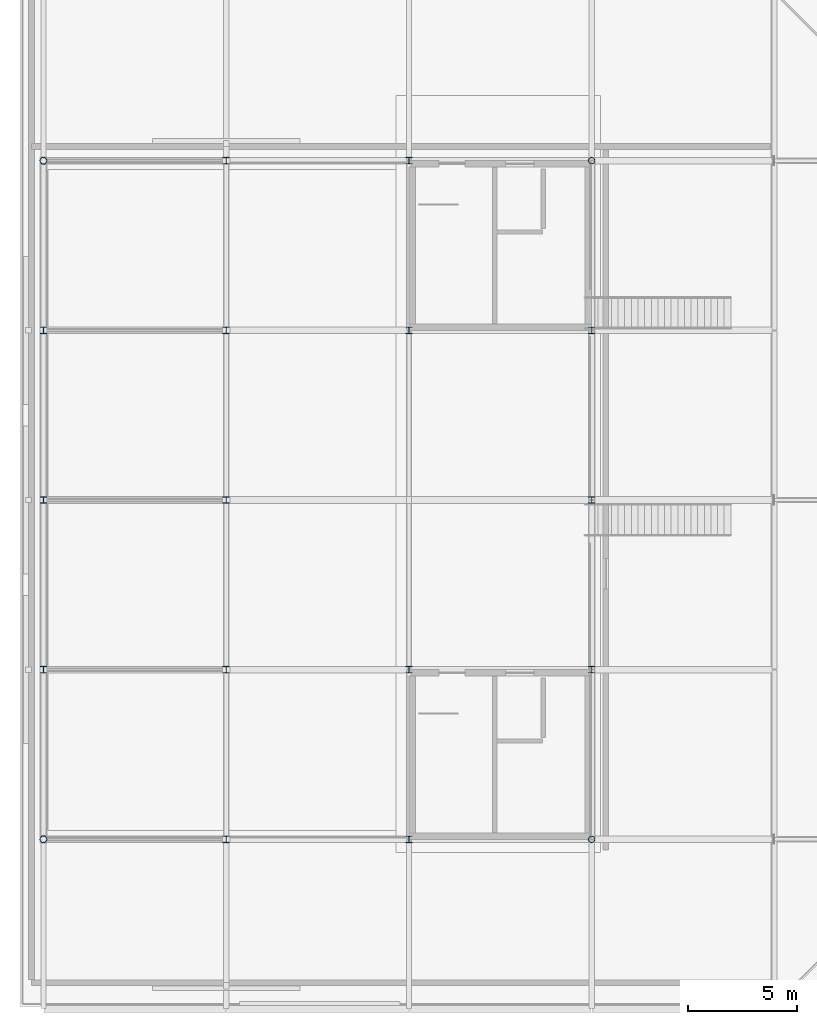
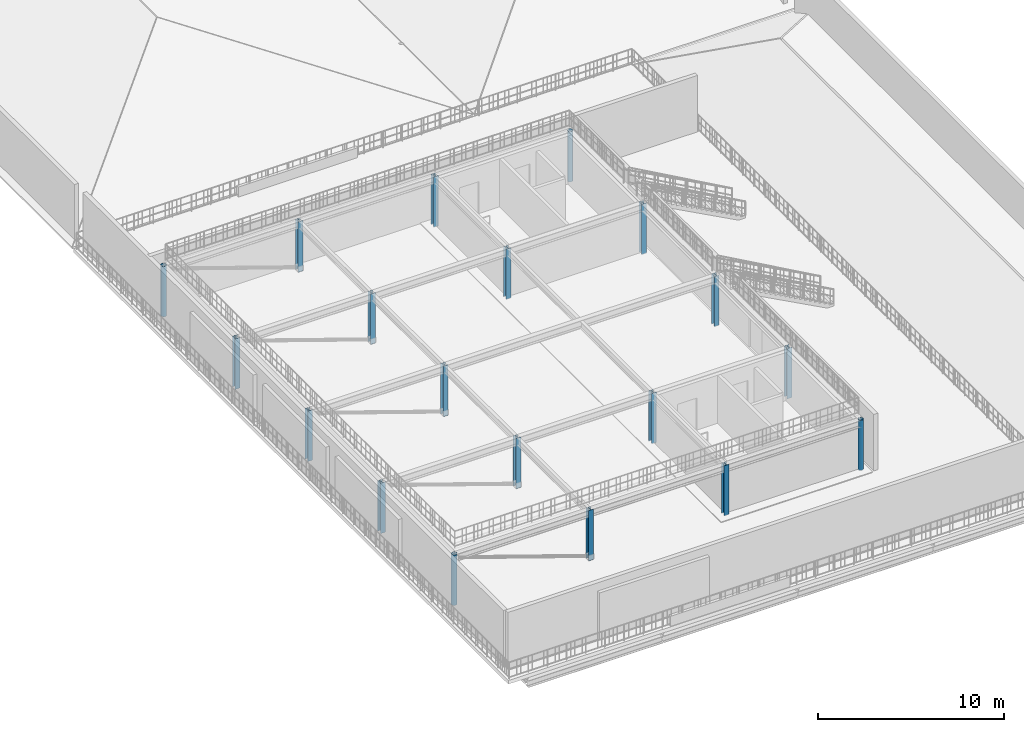
# One storey, part 1 of 16: 19 columns.
"""IFC4 building model written with IfcOpenShell, lengths in metres."""

from ifc_helpers import new_model, si_unit, direction, frame, origin, origin_2d, place, context, subcontext, project, spatial, hollow_circle, i_section, extrude, material, material_profile, profile_set, type_object, element, save


model = new_model("IFC4")

# Units and contexts
model_context = context("Model", 3, precision=1e-05, world=origin(), true_north=direction((0.0, 1.0)))
body_context = subcontext(model_context, "Body", "Model", "MODEL_VIEW")
ifc_project = project(units=[si_unit("LENGTHUNIT", "METRE"), si_unit("AREAUNIT", "SQUARE_METRE"), si_unit("VOLUMEUNIT", "CUBIC_METRE"), si_unit("PLANEANGLEUNIT", "RADIAN"), si_unit("MASSUNIT", "GRAM", prefix="KILO")], contexts=[model_context])

# Site, building, storey
site_placement = place(None, origin())
site = spatial("IfcSite", under=ifc_project, at=site_placement, CompositionType="ELEMENT")
building_placement = place(site_placement, origin())
building = spatial("IfcBuilding", under=site, at=building_placement, Name="Nabrawat Pavilion Hospital", CompositionType="ELEMENT")
storey_placement = place(building_placement, frame((0.0, 0.0, 35.10009765625)))
storey = spatial("IfcBuildingStorey", under=building, at=storey_placement, Name="Roof", CompositionType="ELEMENT", Elevation=35.10009765625)

# Columns
ifc_material = material(Name="Steel S355", Category="steel")
ifc_material_profile_1 = material_profile(ifc_material, i_section(OverallWidth=0.300048828125, OverallDepth=0.300048828125, WebThickness=0.010986328125, FlangeThickness=0.01904296875, FilletRadius=0.027099609375, at=origin_2d()), Name="HEB 300")
ifc_profile_set_1 = profile_set([ifc_material_profile_1], Name="Steel S355")
column_type_1 = type_object("IfcColumnType", Name="Helipad Support Steel Column HEB 300", PredefinedType="COLUMN", material=ifc_profile_set_1)
for number, where, z_axis, x_axis, name in (
    (1, (151.199951171875, 54.60009765625, 0.0), (0.0, 0.0, 1.0), (1.0, 0.0, 0.0), "Roof Structural Column G-19-H"),
    (2, (151.199951171875, 62.39990234375, 0.0), (0.0, 0.0, 1.0), (1.0, 0.0, 0.0), "Roof Structural Column G-19-J"),
    (3, (151.199951171875, 70.199951171875, 0.0), (0.0, 0.0, 1.0), (1.0, 0.0, 0.0), "Roof Structural Column G-19-K"),
    (4, (159.60009765625, 46.800048828125, 0.0), (0.0, 0.0, 1.0), (1.0, 0.0, 0.0), "Roof Structural Column G-20-G"),
    (5, (159.60009765625, 54.60009765625, 0.0), (0.0, 0.0, 1.0), (1.0, 0.0, 0.0), "Roof Structural Column G-20-H"),
    (6, (159.60009765625, 62.39990234375, 0.0), (0.0, 0.0, 1.0), (1.0, 0.0, 0.0), "Roof Structural Column G-20-J"),
    (7, (159.60009765625, 70.199951171875, 0.0), (0.0, 0.0, 1.0), (1.0, 0.0, 0.0), "Roof Structural Column G-20-K"),
    (8, (159.60009765625, 78.0, 0.0), (0.0, 0.0, 1.0), (1.0, 0.0, 0.0), "Roof Structural Column G-20-L"),
    (9, (168.0, 46.800048828125, 0.0), (0.0, 0.0, 1.0), (1.0, 0.0, 0.0), "Roof Structural Column G-21-G"),
    (10, (168.0, 54.60009765625, 0.0), (0.0, 0.0, 1.0), (1.0, 0.0, 0.0), "Roof Structural Column G-21-H"),
    (11, (168.0, 70.199951171875, 0.0), (0.0, 0.0, 1.0), (1.0, 0.0, 0.0), "Roof Structural Column G-21-K"),
    (12, (168.0, 78.0, 0.0), (0.0, 0.0, 1.0), (1.0, 0.0, 0.0), "Roof Structural Column G-21-L"),
    (13, (176.39990234375, 54.60009765625, 0.0), (0.0, 0.0, 1.0), (1.0, 0.0, 0.0), "Roof Structural Column G-22-H"),
    (14, (176.39990234375, 62.39990234375, 0.0), (0.0, 0.0, 1.0), (1.0, 0.0, 0.0), "Roof Structural Column G-22-J"),
    (15, (176.39990234375, 70.199951171875, 0.0), (0.0, 0.0, 1.0), (1.0, 0.0, 0.0), "Roof Structural Column G-22-K"),
):
    element("IfcColumn", number, at=place(storey_placement, frame(where, z_axis=z_axis, x_axis=x_axis)), inside=storey, type_object=column_type_1, Name=name, PredefinedType="COLUMN", context=body_context, shape_type="SweptSolid", body=[
        extrude(i_section(OverallWidth=0.300048828125, OverallDepth=0.300048828125, WebThickness=0.010986328125, FlangeThickness=0.01904296875, FilletRadius=0.027099609375, at=origin_2d()), origin(), (0.0, 0.0, 1.0), 3.2998046875),
    ])
ifc_material_profile_2 = material_profile(ifc_material, hollow_circle(Radius=0.161865234375, WallThickness=0.01611328125, at=origin_2d()), Name="CHS 323.9x16")
ifc_profile_set_2 = profile_set([ifc_material_profile_2], Name="Steel S355")
column_type_2 = type_object("IfcColumnType", Name="Helipad Terrace Colonnade Column CHS 323.9x16", PredefinedType="COLUMN", material=ifc_profile_set_2)
for number, where, z_axis, x_axis, name in (
    (16, (151.199951171875, 46.800048828125, 0.0), (0.0, 0.0, 1.0), (1.0, 0.0, 0.0), "Roof Structural Column G-19-G"),
    (17, (151.199951171875, 78.0, 0.0), (0.0, 0.0, 1.0), (1.0, 0.0, 0.0), "Roof Structural Column G-19-L"),
):
    element("IfcColumn", number, at=place(storey_placement, frame(where, z_axis=z_axis, x_axis=x_axis)), inside=storey, type_object=column_type_2, Name=name, PredefinedType="COLUMN", context=body_context, shape_type="SweptSolid", body=[
        extrude(hollow_circle(Radius=0.161865234375, WallThickness=0.01611328125, at=origin_2d()), origin(), (0.0, 0.0, 1.0), 3.2998046875),
    ])
ifc_material_profile_3 = material_profile(ifc_material, hollow_circle(Radius=0.149169921875, WallThickness=0.01416015625, at=origin_2d()), Name="CHS 298.5x14.2")
ifc_profile_set_3 = profile_set([ifc_material_profile_3], Name="Steel S355")
column_type_3 = type_object("IfcColumnType", Name="Helipad Upper Colonnade Column CHS 298.5x14.2", PredefinedType="COLUMN", material=ifc_profile_set_3)
for number, where, z_axis, x_axis, name in (
    (18, (176.39990234375, 46.800048828125, 0.0), (0.0, 0.0, 1.0), (1.0, 0.0, 0.0), "Roof Structural Column G-22-G"),
    (19, (176.39990234375, 78.0, 0.0), (0.0, 0.0, 1.0), (1.0, 0.0, 0.0), "Roof Structural Column G-22-L"),
):
    element("IfcColumn", number, at=place(storey_placement, frame(where, z_axis=z_axis, x_axis=x_axis)), inside=storey, type_object=column_type_3, Name=name, PredefinedType="COLUMN", context=body_context, shape_type="SweptSolid", body=[
        extrude(hollow_circle(Radius=0.149169921875, WallThickness=0.01416015625, at=origin_2d()), origin(), (0.0, 0.0, 1.0), 3.2998046875),
    ])

save(model, "model.ifc")
